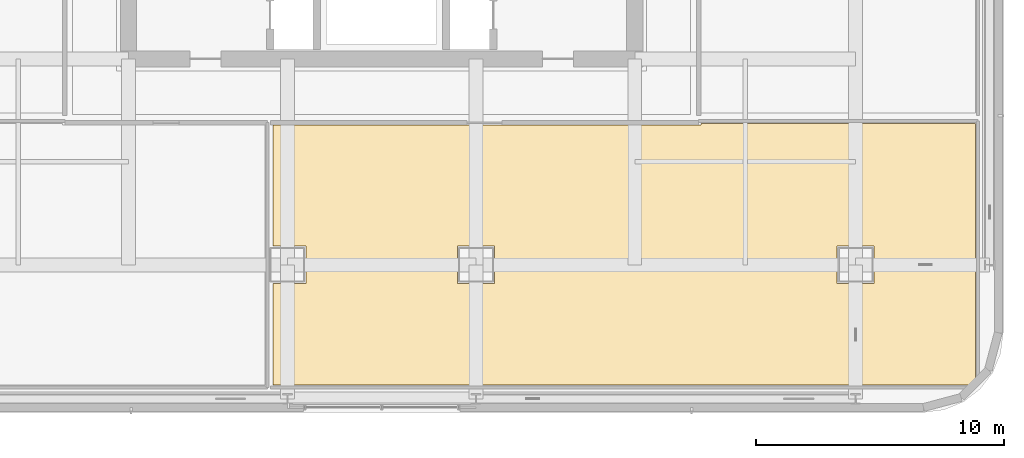
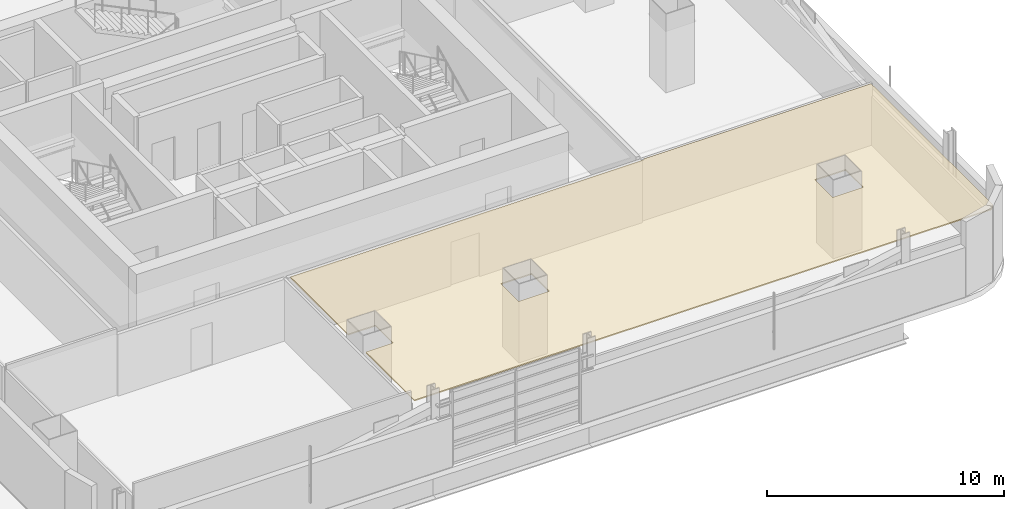
# One storey, part 22 of 27: 1 covering.
"""IFC4 building model written with IfcOpenShell, lengths in metres."""

import ifcopenshell
import ifcopenshell.guid

model = None  # the IFC model being written
_history = None  # IfcOwnerHistory: only IFC2X3 demands one
_inside = {}  # id of a spatial element -> (the spatial element, [elements in it])
_under = {}  # id of a project, library or spatial element -> (it, [spatial elements below it])
_declared = {}  # id of a project -> (the project, [libraries it declares])
_typed = {}  # id of a type object -> (the type object, [elements of that type])
_made_of = {}  # id of a material, layer set ... -> (it, [elements and type objects made of it])


def new_model(schema):
    """Start an empty IFC model of exactly this schema.

    Asked for "IFC4X3", IfcOpenShell would pick the latest addendum, in which some entities
    have other attributes; the version numbers below select the first issue.
    IFC2X3 requires an IfcOwnerHistory on every rooted entity: one is made here for all.
    """
    global model, _history
    if schema == "IFC4X3":
        model = ifcopenshell.file(schema_version=(4, 3, 0, 0))
    else:
        model = ifcopenshell.file(schema=schema)
    _inside.clear()
    _under.clear()
    _declared.clear()
    _typed.clear()
    _made_of.clear()
    _history = None
    if model.schema == "IFC2X3":
        org = make("IfcOrganization", Name="unknown")
        user = make(
            "IfcPersonAndOrganization",
            ThePerson=make("IfcPerson", FamilyName="unknown"),
            TheOrganization=org,
        )
        app = make(
            "IfcApplication",
            ApplicationDeveloper=org,
            Version="unknown",
            ApplicationFullName="unknown",
            ApplicationIdentifier="unknown",
        )
        _history = make(
            "IfcOwnerHistory",
            OwningUser=user,
            OwningApplication=app,
            ChangeAction="ADDED",
            CreationDate=0,
        )
    return model


def make(cls, **values):
    """One entity of the class cls with the attributes given. An attribute that is None is left unset."""
    return model.create_entity(
        cls, **{name: value for name, value in values.items() if value is not None}
    )


def rooted(cls, **values):
    """An entity with a GlobalId (a new one), such as an element, a storey or a relation."""
    return make(cls, GlobalId=ifcopenshell.guid.new(), OwnerHistory=_history, **values)


def si_unit(unit_type, name, prefix=None):
    """IfcSIUnit, for example si_unit("LENGTHUNIT", "METRE", prefix="MILLI")."""
    return make("IfcSIUnit", UnitType=unit_type, Prefix=prefix, Name=name)


def assignment(units):
    """IfcUnitAssignment: the units of a project."""
    return None if units is None else make("IfcUnitAssignment", Units=units)


def point(xyz):
    """IfcCartesianPoint."""
    return None if xyz is None else make("IfcCartesianPoint", Coordinates=xyz)


def direction(xyz):
    """IfcDirection."""
    return None if xyz is None else make("IfcDirection", DirectionRatios=xyz)


def frame(location, z_axis=None, x_axis=None):
    """IfcAxis2Placement3D, a coordinate frame: its origin and axes. An axis left out is left unset."""
    return make(
        "IfcAxis2Placement3D",
        Location=point(location),
        Axis=direction(z_axis),
        RefDirection=direction(x_axis),
    )


def origin():
    """The frame at (0, 0, 0) with its axes left unset."""
    return frame((0.0, 0.0, 0.0))


def place(relative_to, where):
    """IfcLocalPlacement: puts the frame where relative to a parent placement (None: the world)."""
    return make(
        "IfcLocalPlacement", PlacementRelTo=relative_to, RelativePlacement=where
    )


def context(
    kind, dimensions, precision=None, world=None, true_north=None, identifier=None
):
    """IfcGeometricRepresentationContext, for example the 3D "Model" context."""
    return make(
        "IfcGeometricRepresentationContext",
        ContextIdentifier=identifier,
        ContextType=kind,
        CoordinateSpaceDimension=dimensions,
        Precision=precision,
        WorldCoordinateSystem=world,
        TrueNorth=true_north,
    )


def subcontext(parent, identifier, kind, view, scale=None):
    """IfcGeometricRepresentationSubContext, for example "Body" below "Model"."""
    return make(
        "IfcGeometricRepresentationSubContext",
        ContextIdentifier=identifier,
        ContextType=kind,
        ParentContext=parent,
        TargetScale=scale,
        TargetView=view,
    )


def project(units=None, contexts=None):
    """IfcProject with its units and contexts."""
    return rooted(
        "IfcProject",
        Name="project",
        RepresentationContexts=contexts,
        UnitsInContext=assignment(units),
    )


def spatial(cls, under=None, at=None, **own):
    """A site, building, storey or space (cls), placed at a placement, below another one or the project."""
    s = rooted(cls, ObjectPlacement=at, **own)
    if under is not None:
        _under.setdefault(under.id(), (under, []))[1].append(s)
    return s


def polyline(points):
    """IfcPolyline through the points."""
    return make("IfcPolyline", Points=[point(p) for p in points])


def outline(outer, holes=None, kind="AREA"):
    """IfcArbitraryClosedProfileDef: a profile drawn as a closed curve; with holes, ...WithVoids."""
    if holes is None:
        return make("IfcArbitraryClosedProfileDef", ProfileType=kind, OuterCurve=outer)
    return make(
        "IfcArbitraryProfileDefWithVoids",
        ProfileType=kind,
        OuterCurve=outer,
        InnerCurves=holes,
    )


def extrude(swept, where, along, depth):
    """IfcExtrudedAreaSolid: the profile swept, set in the frame where, extruded along a direction by depth."""
    return make(
        "IfcExtrudedAreaSolid",
        SweptArea=swept,
        Position=where,
        ExtrudedDirection=direction(along),
        Depth=depth,
    )


def shape(context_of_items, identifier, shape_type, items):
    """IfcShapeRepresentation: the items that make up one representation, for example the "Body"."""
    return make(
        "IfcShapeRepresentation",
        ContextOfItems=context_of_items,
        RepresentationIdentifier=identifier,
        RepresentationType=shape_type,
        Items=items,
    )


def material(Name=None, Category=None):
    """IfcMaterial."""
    return make("IfcMaterial", Name=Name, Category=Category)


def layer(
    of_material, thickness, ventilated=None, Name=None, Category=None, Priority=None
):
    """IfcMaterialLayer: one layer of a wall or slab, of a material (None: an air gap)."""
    return make(
        "IfcMaterialLayer",
        Material=of_material,
        LayerThickness=thickness,
        IsVentilated=ventilated,
        Name=Name,
        Category=Category,
        Priority=Priority,
    )


def layer_set(layers, Name=None):
    """IfcMaterialLayerSet."""
    return make("IfcMaterialLayerSet", MaterialLayers=layers, LayerSetName=Name)


def made_of(thing, what):
    """Note that an element or type object is made of a material, layer set ...; save() writes the relation."""
    if what is not None:
        _made_of.setdefault(what.id(), (what, []))[1].append(thing)
    return thing


def type_object(cls, material=None, **own):
    """A type object (cls), such as IfcWallType, which elements share."""
    return made_of(rooted(cls, **own), material)


def element(
    cls,
    number,
    at=None,
    inside=None,
    cuts=None,
    type_object=None,
    material=None,
    context=None,
    identifier="Body",
    shape_type=None,
    held_by="IfcProductDefinitionShape",
    body=None,
    shapes=None,
    **own,
):
    """One element of the class cls, such as IfcWall. Its Tag is "e" and its number.

    at: its placement. inside: the storey or other place that contains it. cuts: it is an
    opening in that element (IfcRelVoidsElement). A single representation is given by context,
    identifier, shape_type and body (its items); several are given by shapes. held_by: the class
    of the entity that holds the representations. save() writes the other relations.
    """
    e = rooted(cls, Tag="e%d" % number, ObjectPlacement=at, **own)
    if body is not None:
        shapes = [shape(context, identifier, shape_type, body)]
    if shapes is not None:
        e.Representation = make(held_by, Representations=shapes)
    if inside is not None:
        _inside.setdefault(inside.id(), (inside, []))[1].append(e)
    if cuts is not None:
        rooted(
            "IfcRelVoidsElement", RelatingBuildingElement=cuts, RelatedOpeningElement=e
        )
    if type_object is not None:
        _typed.setdefault(type_object.id(), (type_object, []))[1].append(e)
    return made_of(e, material)


def aggregate(whole, parts):
    """IfcRelAggregates: a whole, such as a stair, and the parts it consists of."""
    return rooted("IfcRelAggregates", RelatingObject=whole, RelatedObjects=parts)


def save(model, path):
    """Write the relations noted so far, then the file.

    IfcRelAggregates (storeys below a building ...), IfcRelContainedInSpatialStructure (elements
    in a storey), IfcRelDefinesByType, IfcRelAssociatesMaterial and IfcRelDeclares: one each for
    every whole, place, type object, material and project.
    """
    for whole, parts in _under.values():
        aggregate(whole, parts)
    for where, things in _inside.values():
        rooted(
            "IfcRelContainedInSpatialStructure",
            RelatedElements=things,
            RelatingStructure=where,
        )
    for kind, things in _typed.values():
        rooted("IfcRelDefinesByType", RelatedObjects=things, RelatingType=kind)
    for what, things in _made_of.values():
        rooted("IfcRelAssociatesMaterial", RelatedObjects=things, RelatingMaterial=what)
    for by, libraries in _declared.values():
        rooted("IfcRelDeclares", RelatingContext=by, RelatedDefinitions=libraries)
    model.write(path)


model = new_model("IFC4")

# Units and contexts
model_context = context("Model", 3, precision=1e-05, world=origin(), true_north=direction((0.0, 1.0)))
body_context = subcontext(model_context, "Body", "Model", "MODEL_VIEW")
ifc_project = project(units=[si_unit("LENGTHUNIT", "METRE"), si_unit("AREAUNIT", "SQUARE_METRE"), si_unit("VOLUMEUNIT", "CUBIC_METRE"), si_unit("PLANEANGLEUNIT", "RADIAN"), si_unit("MASSUNIT", "GRAM", prefix="KILO")], contexts=[model_context])

# Site, building, storey
site_placement = place(None, origin())
site = spatial("IfcSite", under=ifc_project, at=site_placement, CompositionType="ELEMENT")
building_placement = place(site_placement, origin())
building = spatial("IfcBuilding", under=site, at=building_placement, Name="Punatoya Terracotta Tower", CompositionType="ELEMENT")
storey_placement = place(building_placement, frame((0.0, 0.0, 204.60009765625)))
storey = spatial("IfcBuildingStorey", under=building, at=storey_placement, Name="L48", CompositionType="ELEMENT", Elevation=204.60009765625)

# Covering
ifc_material = material(Name="Acoustic Mineral Fibre Ceiling")
ifc_layer = layer(ifc_material, 0.06005859375)
ifc_layer_set = layer_set([ifc_layer], Name="Acoustic Mineral Fibre Ceiling")
covering_type = type_object("IfcCoveringType", Name="COV-CEIL-60", PredefinedType="CEILING", material=ifc_layer_set)
covering_placement = place(storey_placement, frame((0.0, 0.0, 3.159912109375)))
element("IfcCovering", 1, at=covering_placement, inside=storey, type_object=covering_type, Name="L48 Media Broadcast Studio Acoustic Ceiling", PredefinedType="CEILING", context=body_context, shape_type="SweptSolid", body=[
    extrude(outline(polyline([(-4.385009765625, -18.25), (-4.385009765625, -22.340087890625), (23.713623046875, -22.340087890625), (23.841796875, -22.24169921875), (23.93994140625, -22.113525390625), (23.93994140625, -11.81005859375), (12.8701171875, -11.81005859375), (12.8701171875, -11.8701171875), (-4.385009765625, -11.8701171875), (-4.385009765625, -16.75), (-3.050048828125, -16.75), (-3.050048828125, -18.25), (-4.385009765625, -18.25)]), holes=[polyline([(19.85009765625, -18.25), (18.35009765625, -18.25), (18.35009765625, -16.75), (19.85009765625, -16.75), (19.85009765625, -18.25)]), polyline([(4.550048828125, -16.75), (4.550048828125, -18.25), (3.050048828125, -18.25), (3.050048828125, -16.75), (4.550048828125, -16.75)])]), origin(), (0.0, 0.0, 1.0), 0.06005859375),
])

save(model, "model.ifc")
